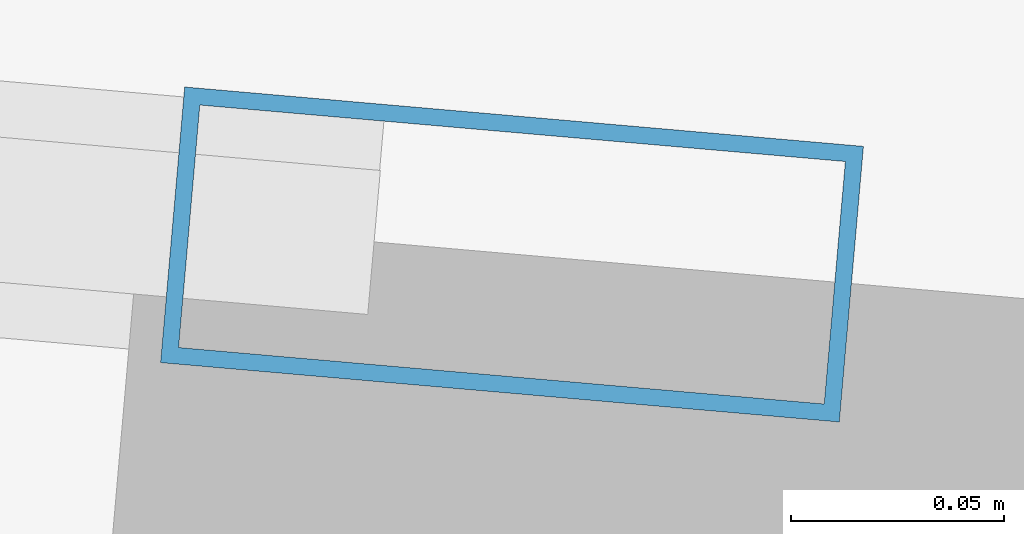
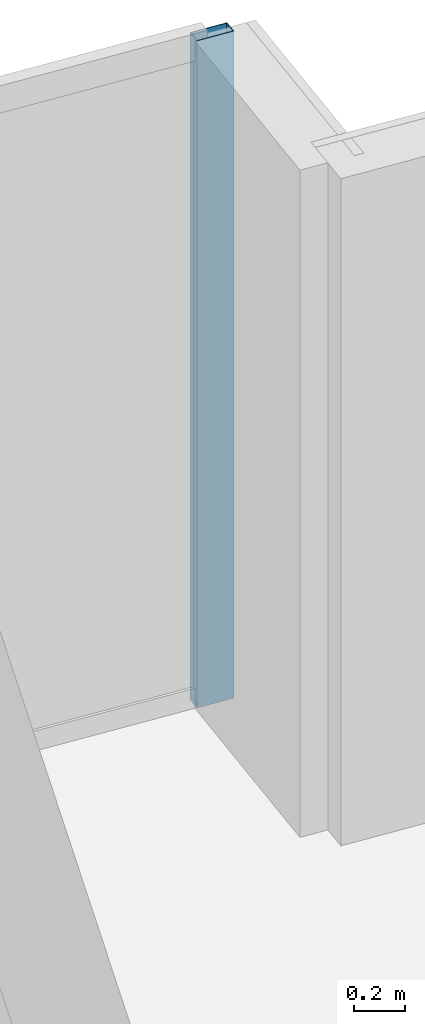
# One storey, part 22 of 32: 1 member, 1 element without a shape of its own.
"""IFC4 building model written with IfcOpenShell, lengths in metres."""

from ifc_helpers import new_model, si_unit, direction, frame, origin, origin_2d, place, context, subcontext, project, spatial, hollow_rectangle, extrude, material, material_profile, profile_set, type_object, element, aggregate, save


model = new_model("IFC4")

# Units and contexts
model_context = context("Model", 3, precision=1e-05, world=origin(), true_north=direction((0.0, 1.0)))
body_context = subcontext(model_context, "Body", "Model", "MODEL_VIEW")
ifc_project = project(units=[si_unit("LENGTHUNIT", "METRE"), si_unit("AREAUNIT", "SQUARE_METRE"), si_unit("VOLUMEUNIT", "CUBIC_METRE"), si_unit("PLANEANGLEUNIT", "RADIAN"), si_unit("MASSUNIT", "GRAM", prefix="KILO")], contexts=[model_context])

# Site, building, storey
site_placement = place(None, origin())
site = spatial("IfcSite", under=ifc_project, at=site_placement, CompositionType="ELEMENT")
building_placement = place(site_placement, origin())
building = spatial("IfcBuilding", under=site, at=building_placement, Name="Yelkora Congress Tower", CompositionType="ELEMENT")
storey_placement = place(building_placement, frame((0.0, 0.0, 279.5)))
storey = spatial("IfcBuildingStorey", under=building, at=storey_placement, Name="L78", CompositionType="ELEMENT", Elevation=279.5)

# Curtain wall, member
ifc_material_1 = material(Name="Anodised aluminium and insulated glass", Category="aluminium")
curtain_wall_type = type_object("IfcCurtainWallType", Name="CW-SYS-B5", PredefinedType="NOTDEFINED", material=ifc_material_1)
curtain_wall_placement = place(storey_placement, origin())
curtain_wall = element("IfcCurtainWall", 1, at=curtain_wall_placement, inside=storey, type_object=curtain_wall_type, Name="L78 Unitised Curtain Wall 10", PredefinedType="NOTDEFINED")
ifc_material_2 = material(Name="Anodised aluminium 6063-T6", Category="aluminium")
ifc_material_profile = material_profile(ifc_material_2, hollow_rectangle(XDim=0.06494140625, YDim=0.159912109375, WallThickness=0.00390625, at=origin_2d()), Name="ALU 65x160x4")
ifc_profile_set = profile_set([ifc_material_profile], Name="Anodised aluminium 6063-T6")
member_type = type_object("IfcMemberType", Name="MEM-ML-B5", PredefinedType="MULLION", material=ifc_profile_set)
member_placement = place(storey_placement, frame((55.753662109375, 46.44580078125, 0.0), z_axis=(0.0, 0.0, 1.0), x_axis=(0.087156639893, 0.996194619601, 0.0)))
member = element("IfcMember", 2, at=member_placement, type_object=member_type, Name="CW-B5 mullion 8", PredefinedType="MULLION", context=body_context, shape_type="SweptSolid", body=[
    extrude(hollow_rectangle(XDim=0.06494140625, YDim=0.159912109375, WallThickness=0.00390625, at=origin_2d()), origin(), (0.0, 0.0, 1.0), 3.179931640625),
])
aggregate(curtain_wall, [member])

save(model, "model.ifc")
